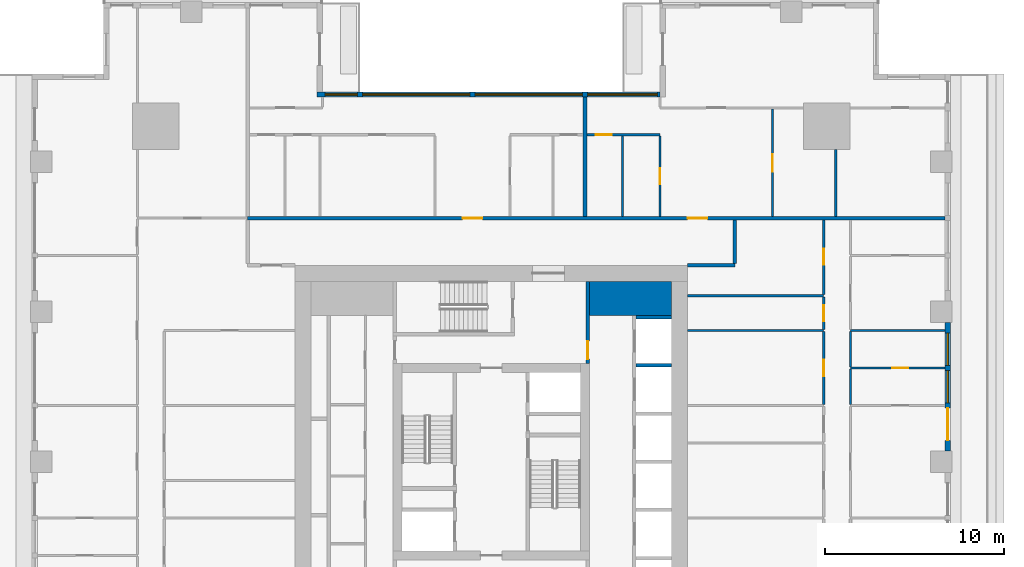
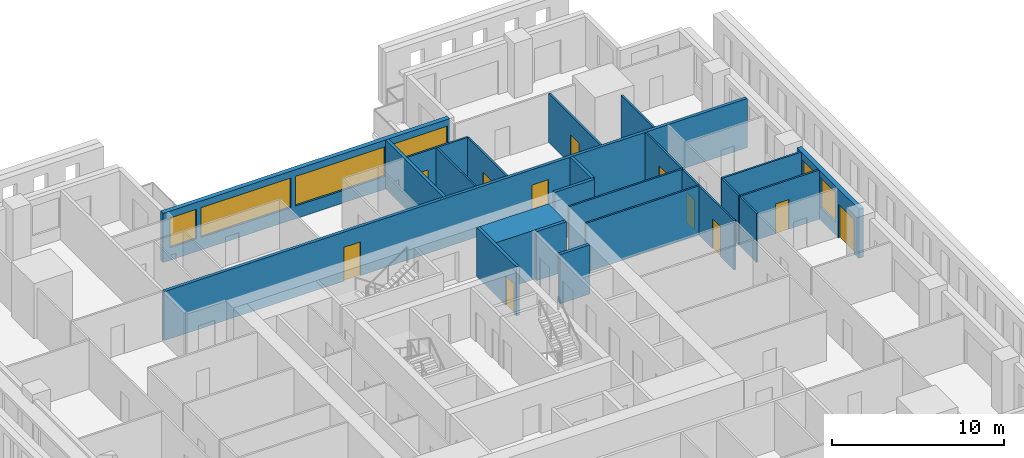
# One storey, part 8 of 16: 24 walls, 11 doors, 6 windows, 17 openings.
"""IFC4 building model written with IfcOpenShell, lengths in metres."""

import ifcopenshell
import ifcopenshell.guid

model = None  # the IFC model being written
_history = None  # IfcOwnerHistory: only IFC2X3 demands one
_inside = {}  # id of a spatial element -> (the spatial element, [elements in it])
_under = {}  # id of a project, library or spatial element -> (it, [spatial elements below it])
_declared = {}  # id of a project -> (the project, [libraries it declares])
_typed = {}  # id of a type object -> (the type object, [elements of that type])
_made_of = {}  # id of a material, layer set ... -> (it, [elements and type objects made of it])


def new_model(schema):
    """Start an empty IFC model of exactly this schema.

    Asked for "IFC4X3", IfcOpenShell would pick the latest addendum, in which some entities
    have other attributes; the version numbers below select the first issue.
    IFC2X3 requires an IfcOwnerHistory on every rooted entity: one is made here for all.
    """
    global model, _history
    if schema == "IFC4X3":
        model = ifcopenshell.file(schema_version=(4, 3, 0, 0))
    else:
        model = ifcopenshell.file(schema=schema)
    _inside.clear()
    _under.clear()
    _declared.clear()
    _typed.clear()
    _made_of.clear()
    _history = None
    if model.schema == "IFC2X3":
        org = make("IfcOrganization", Name="unknown")
        user = make(
            "IfcPersonAndOrganization",
            ThePerson=make("IfcPerson", FamilyName="unknown"),
            TheOrganization=org,
        )
        app = make(
            "IfcApplication",
            ApplicationDeveloper=org,
            Version="unknown",
            ApplicationFullName="unknown",
            ApplicationIdentifier="unknown",
        )
        _history = make(
            "IfcOwnerHistory",
            OwningUser=user,
            OwningApplication=app,
            ChangeAction="ADDED",
            CreationDate=0,
        )
    return model


def make(cls, **values):
    """One entity of the class cls with the attributes given. An attribute that is None is left unset."""
    return model.create_entity(
        cls, **{name: value for name, value in values.items() if value is not None}
    )


def rooted(cls, **values):
    """An entity with a GlobalId (a new one), such as an element, a storey or a relation."""
    return make(cls, GlobalId=ifcopenshell.guid.new(), OwnerHistory=_history, **values)


def si_unit(unit_type, name, prefix=None):
    """IfcSIUnit, for example si_unit("LENGTHUNIT", "METRE", prefix="MILLI")."""
    return make("IfcSIUnit", UnitType=unit_type, Prefix=prefix, Name=name)


def assignment(units):
    """IfcUnitAssignment: the units of a project."""
    return None if units is None else make("IfcUnitAssignment", Units=units)


def point(xyz):
    """IfcCartesianPoint."""
    return None if xyz is None else make("IfcCartesianPoint", Coordinates=xyz)


def direction(xyz):
    """IfcDirection."""
    return None if xyz is None else make("IfcDirection", DirectionRatios=xyz)


def frame(location, z_axis=None, x_axis=None):
    """IfcAxis2Placement3D, a coordinate frame: its origin and axes. An axis left out is left unset."""
    return make(
        "IfcAxis2Placement3D",
        Location=point(location),
        Axis=direction(z_axis),
        RefDirection=direction(x_axis),
    )


def frame_2d(location, x_axis=None):
    """IfcAxis2Placement2D, a coordinate frame in the plane: its origin and x axis."""
    return make(
        "IfcAxis2Placement2D", Location=point(location), RefDirection=direction(x_axis)
    )


def origin():
    """The frame at (0, 0, 0) with its axes left unset."""
    return frame((0.0, 0.0, 0.0))


def place(relative_to, where):
    """IfcLocalPlacement: puts the frame where relative to a parent placement (None: the world)."""
    return make(
        "IfcLocalPlacement", PlacementRelTo=relative_to, RelativePlacement=where
    )


def context(
    kind, dimensions, precision=None, world=None, true_north=None, identifier=None
):
    """IfcGeometricRepresentationContext, for example the 3D "Model" context."""
    return make(
        "IfcGeometricRepresentationContext",
        ContextIdentifier=identifier,
        ContextType=kind,
        CoordinateSpaceDimension=dimensions,
        Precision=precision,
        WorldCoordinateSystem=world,
        TrueNorth=true_north,
    )


def subcontext(parent, identifier, kind, view, scale=None):
    """IfcGeometricRepresentationSubContext, for example "Body" below "Model"."""
    return make(
        "IfcGeometricRepresentationSubContext",
        ContextIdentifier=identifier,
        ContextType=kind,
        ParentContext=parent,
        TargetScale=scale,
        TargetView=view,
    )


def project(units=None, contexts=None):
    """IfcProject with its units and contexts."""
    return rooted(
        "IfcProject",
        Name="project",
        RepresentationContexts=contexts,
        UnitsInContext=assignment(units),
    )


def spatial(cls, under=None, at=None, **own):
    """A site, building, storey or space (cls), placed at a placement, below another one or the project."""
    s = rooted(cls, ObjectPlacement=at, **own)
    if under is not None:
        _under.setdefault(under.id(), (under, []))[1].append(s)
    return s


def profile(cls, at=None, kind="AREA", **sizes):
    """A parametric profile (cls). Its sizes go by their IFC names, for example OverallWidth=200.0."""
    return make(cls, ProfileType=kind, Position=at, **sizes)


def rectangle(**sizes):
    """IfcRectangleProfileDef."""
    return profile("IfcRectangleProfileDef", **sizes)


def extrude(swept, where, along, depth):
    """IfcExtrudedAreaSolid: the profile swept, set in the frame where, extruded along a direction by depth."""
    return make(
        "IfcExtrudedAreaSolid",
        SweptArea=swept,
        Position=where,
        ExtrudedDirection=direction(along),
        Depth=depth,
    )


def shape(context_of_items, identifier, shape_type, items):
    """IfcShapeRepresentation: the items that make up one representation, for example the "Body"."""
    return make(
        "IfcShapeRepresentation",
        ContextOfItems=context_of_items,
        RepresentationIdentifier=identifier,
        RepresentationType=shape_type,
        Items=items,
    )


def material(Name=None, Category=None):
    """IfcMaterial."""
    return make("IfcMaterial", Name=Name, Category=Category)


def layer(
    of_material, thickness, ventilated=None, Name=None, Category=None, Priority=None
):
    """IfcMaterialLayer: one layer of a wall or slab, of a material (None: an air gap)."""
    return make(
        "IfcMaterialLayer",
        Material=of_material,
        LayerThickness=thickness,
        IsVentilated=ventilated,
        Name=Name,
        Category=Category,
        Priority=Priority,
    )


def layer_set(layers, Name=None):
    """IfcMaterialLayerSet."""
    return make("IfcMaterialLayerSet", MaterialLayers=layers, LayerSetName=Name)


def made_of(thing, what):
    """Note that an element or type object is made of a material, layer set ...; save() writes the relation."""
    if what is not None:
        _made_of.setdefault(what.id(), (what, []))[1].append(thing)
    return thing


def type_object(cls, material=None, **own):
    """A type object (cls), such as IfcWallType, which elements share."""
    return made_of(rooted(cls, **own), material)


def element(
    cls,
    number,
    at=None,
    inside=None,
    cuts=None,
    type_object=None,
    material=None,
    context=None,
    identifier="Body",
    shape_type=None,
    held_by="IfcProductDefinitionShape",
    body=None,
    shapes=None,
    **own,
):
    """One element of the class cls, such as IfcWall. Its Tag is "e" and its number.

    at: its placement. inside: the storey or other place that contains it. cuts: it is an
    opening in that element (IfcRelVoidsElement). A single representation is given by context,
    identifier, shape_type and body (its items); several are given by shapes. held_by: the class
    of the entity that holds the representations. save() writes the other relations.
    """
    e = rooted(cls, Tag="e%d" % number, ObjectPlacement=at, **own)
    if body is not None:
        shapes = [shape(context, identifier, shape_type, body)]
    if shapes is not None:
        e.Representation = make(held_by, Representations=shapes)
    if inside is not None:
        _inside.setdefault(inside.id(), (inside, []))[1].append(e)
    if cuts is not None:
        rooted(
            "IfcRelVoidsElement", RelatingBuildingElement=cuts, RelatedOpeningElement=e
        )
    if type_object is not None:
        _typed.setdefault(type_object.id(), (type_object, []))[1].append(e)
    return made_of(e, material)


def fill(opening, filler):
    """IfcRelFillsElement: the door or window that sits in an opening."""
    return rooted(
        "IfcRelFillsElement",
        RelatingOpeningElement=opening,
        RelatedBuildingElement=filler,
    )


def aggregate(whole, parts):
    """IfcRelAggregates: a whole, such as a stair, and the parts it consists of."""
    return rooted("IfcRelAggregates", RelatingObject=whole, RelatedObjects=parts)


def save(model, path):
    """Write the relations noted so far, then the file.

    IfcRelAggregates (storeys below a building ...), IfcRelContainedInSpatialStructure (elements
    in a storey), IfcRelDefinesByType, IfcRelAssociatesMaterial and IfcRelDeclares: one each for
    every whole, place, type object, material and project.
    """
    for whole, parts in _under.values():
        aggregate(whole, parts)
    for where, things in _inside.values():
        rooted(
            "IfcRelContainedInSpatialStructure",
            RelatedElements=things,
            RelatingStructure=where,
        )
    for kind, things in _typed.values():
        rooted("IfcRelDefinesByType", RelatedObjects=things, RelatingType=kind)
    for what, things in _made_of.values():
        rooted("IfcRelAssociatesMaterial", RelatedObjects=things, RelatingMaterial=what)
    for by, libraries in _declared.values():
        rooted("IfcRelDeclares", RelatingContext=by, RelatedDefinitions=libraries)
    model.write(path)


model = new_model("IFC4")

# Units and contexts
model_context = context("Model", 3, precision=1e-05, world=origin(), true_north=direction((0.0, 1.0)))
body_context = subcontext(model_context, "Body", "Model", "MODEL_VIEW")
ifc_project = project(units=[si_unit("LENGTHUNIT", "METRE"), si_unit("AREAUNIT", "SQUARE_METRE"), si_unit("VOLUMEUNIT", "CUBIC_METRE"), si_unit("PLANEANGLEUNIT", "RADIAN"), si_unit("MASSUNIT", "GRAM", prefix="KILO")], contexts=[model_context])

# Site, building, storey
site_placement = place(None, origin())
site = spatial("IfcSite", under=ifc_project, at=site_placement, CompositionType="ELEMENT")
building_placement = place(site_placement, origin())
building = spatial("IfcBuilding", under=site, at=building_placement, Name="Khepri Terraces", CompositionType="ELEMENT")
storey_placement = place(building_placement, frame((0.0, 0.0, 157.199951171875)))
storey = spatial("IfcBuildingStorey", under=building, at=storey_placement, Name="L37", CompositionType="ELEMENT", Elevation=157.199951171875)

# Walls
ifc_material_1 = material(Name="Concrete C60/75", Category="concrete")
ifc_layer_1 = layer(ifc_material_1, 1.89990234375, Name="Concrete C60/75", Category="concrete")
ifc_layer_set_1 = layer_set([ifc_layer_1], Name="Concrete C60/75")
wall_type_1 = type_object("IfcWallType", Name="Core wall 1900 C60/75", PredefinedType="SHEAR", material=ifc_layer_set_1)
wall_1_placement = place(storey_placement, frame((5.5, 9.14990234375, 0.0), z_axis=(0.0, 0.0, 1.0), x_axis=(1.0, 0.0, 0.0)))
element("IfcWall", 1, at=wall_1_placement, inside=storey, type_object=wall_type_1, Name="Core wall PR04 L37", PredefinedType="SHEAR", context=body_context, shape_type="SweptSolid", body=[
    extrude(rectangle(XDim=4.60009765625, YDim=1.89990234375, at=frame_2d((2.300048828125, 0.0))), origin(), (0.0, 0.0, 1.0), 3.47998046875),
])
ifc_layer_2 = layer(ifc_material_1, 0.199951171875, Name="Concrete C60/75", Category="concrete")
ifc_layer_set_2 = layer_set([ifc_layer_2], Name="Concrete C60/75")
wall_type_2 = type_object("IfcWallType", Name="Core wall 200 C60/75", PredefinedType="SHEAR", material=ifc_layer_set_2)
for number, where, z_axis, x_axis, name in (
    (2, (8.10009765625, 5.39990234375, 0.0), (0.0, 0.0, 1.0), (1.0, 0.0, 0.0), "Core wall SH14 L37"),
    (3, (8.10009765625, 8.10009765625, 0.0), (0.0, 0.0, 1.0), (1.0, 0.0, 0.0), "Core wall SH15 L37"),
):
    element("IfcWall", number, at=place(storey_placement, frame(where, z_axis=z_axis, x_axis=x_axis)), inside=storey, type_object=wall_type_2, Name=name, PredefinedType="SHEAR", context=body_context, shape_type="SweptSolid", body=[
        extrude(rectangle(XDim=2.0, YDim=0.199951171875, at=frame_2d((1.0, 0.0))), origin(), (0.0, 0.0, 1.0), 3.47998046875),
    ])

# Wall, opening, door
ifc_material_2 = material(Name="Fire-rated gypsum board partition")
ifc_layer_3 = layer(ifc_material_2, 0.199951171875, Name="Fire-rated gypsum board partition")
ifc_layer_set_3 = layer_set([ifc_layer_3], Name="Fire-rated gypsum board partition")
wall_type_3 = type_object("IfcWallType", Name="WL-CORE-PART-200", PredefinedType="PARTITIONING", material=ifc_layer_set_3)
wall_2_placement = place(storey_placement, frame((5.39990234375, 5.5, 0.0), z_axis=(0.0, 0.0, 1.0), x_axis=(0.0, 1.0, 0.0)))
wall_2 = element("IfcWall", 4, at=wall_2_placement, inside=storey, type_object=wall_type_3, Name="Core partition PT12 L37", PredefinedType="PARTITIONING", context=body_context, shape_type="SweptSolid", body=[
    extrude(rectangle(XDim=4.60009765625, YDim=0.199951171875, at=frame_2d((2.300048828125, 0.0))), origin(), (0.0, 0.0, 1.0), 3.47998046875),
])
opening_1_placement = place(wall_2_placement, frame((0.25, 0.0, 0.0)))
opening_1 = element("IfcOpeningElement", 5, at=opening_1_placement, cuts=wall_2, Name="Opening L37-C17", PredefinedType="OPENING", context=body_context, shape_type="SweptSolid", body=[
    extrude(rectangle(XDim=1.0, YDim=2.10009765625, at=frame_2d((0.5, 1.050048828125))), frame((0.0, 0.10986328125, 0.0), z_axis=(0.0, -1.0, 0.0), x_axis=(1.0, 0.0, 0.0)), (0.0, 0.0, 1.0), 0.219970703125),
])
ifc_material_3 = material(Name="Painted steel", Category="steel")
door_type_1 = type_object("IfcDoorType", Name="DR-CORE-LOBBY-1000", OperationType="NOTDEFINED", PredefinedType="DOOR", material=ifc_material_3)
door_1_placement = place(opening_1_placement, origin())
door_1 = element("IfcDoor", 6, at=door_1_placement, inside=storey, type_object=door_type_1, Name="Lobby door L37-C17", OperationType="SINGLE_SWING_LEFT", OverallHeight=2.10009765625, OverallWidth=1.0, PredefinedType="DOOR", context=body_context, shape_type="SweptSolid", body=[
    extrude(rectangle(XDim=1.0, YDim=2.10009765625, at=frame_2d((0.5, 1.050048828125))), frame((0.0, 0.02490234375, 0.0), z_axis=(0.0, -1.0, 0.0), x_axis=(1.0, 0.0, 0.0)), (0.0, 0.0, 1.0), 0.050048828125),
])
fill(opening_1, door_1)

# Walls
ifc_material_4 = material(Name="Fire-rated gypsum plasterboard partition, mineral wool")
ifc_layer_4 = layer(ifc_material_4, 0.199951171875, Name="Fire-rated gypsum plasterboard partition, mineral wool")
ifc_layer_set_4 = layer_set([ifc_layer_4], Name="Fire-rated gypsum plasterboard partition, mineral wool")
wall_type_4 = type_object("IfcWallType", Name="WL-CORR-200", PredefinedType="PARTITIONING", material=ifc_layer_set_4)
wall_3_placement = place(storey_placement, frame((11.0, 11.0, 0.0), z_axis=(0.0, 0.0, 1.0), x_axis=(1.0, 0.0, 0.0)))
element("IfcWall", 7, at=wall_3_placement, inside=storey, type_object=wall_type_4, Name="Partition P-076 L37", PredefinedType="PARTITIONING", context=body_context, shape_type="SweptSolid", body=[
    extrude(rectangle(XDim=2.64990234375, YDim=0.199951171875, at=frame_2d((1.324951171875, 0.0))), origin(), (0.0, 0.0, 1.0), 3.47998046875),
])
wall_4_placement = place(storey_placement, frame((13.64990234375, 11.10009765625, 0.0), z_axis=(0.0, 0.0, 1.0), x_axis=(0.0, 1.0, 0.0)))
element("IfcWall", 8, at=wall_4_placement, inside=storey, type_object=wall_type_4, Name="Partition P-078 L37", PredefinedType="PARTITIONING", context=body_context, shape_type="SweptSolid", body=[
    extrude(rectangle(XDim=2.449951171875, YDim=0.199951171875, at=frame_2d((1.22509765625, 0.0))), origin(), (0.0, 0.0, 1.0), 3.47998046875),
])

# Wall, openings, doors
wall_5_placement = place(storey_placement, frame((-13.64990234375, 13.64990234375, 0.0), z_axis=(0.0, 0.0, 1.0), x_axis=(1.0, 0.0, 0.0)))
wall_5 = element("IfcWall", 9, at=wall_5_placement, inside=storey, type_object=wall_type_4, Name="Partition P-084 L37", PredefinedType="PARTITIONING", context=body_context, shape_type="SweptSolid", body=[
    extrude(rectangle(XDim=39.06982421875, YDim=0.199951171875, at=frame_2d((19.534912109375, 0.0))), origin(), (0.0, 0.0, 1.0), 3.47998046875),
])
opening_2_placement = place(wall_5_placement, frame((24.64990234375, 0.0, 0.0)))
opening_2 = element("IfcOpeningElement", 10, at=opening_2_placement, cuts=wall_5, Name="Opening D1", PredefinedType="OPENING", context=body_context, shape_type="SweptSolid", body=[
    extrude(rectangle(XDim=1.10009765625, YDim=2.39990234375, at=frame_2d((0.550048828125, 1.199951171875))), frame((0.0, 0.10986328125, 0.0), z_axis=(0.0, -1.0, 0.0), x_axis=(1.0, 0.0, 0.0)), (0.0, 0.0, 1.0), 0.219970703125),
])
opening_3_placement = place(wall_5_placement, frame((12.050048828125, 0.0, 0.0)))
opening_3 = element("IfcOpeningElement", 11, at=opening_3_placement, cuts=wall_5, Name="Opening D1", PredefinedType="OPENING", context=body_context, shape_type="SweptSolid", body=[
    extrude(rectangle(XDim=1.10009765625, YDim=2.39990234375, at=frame_2d((0.550048828125, 1.199951171875))), frame((0.0, 0.10986328125, 0.0), z_axis=(0.0, -1.0, 0.0), x_axis=(1.0, 0.0, 0.0)), (0.0, 0.0, 1.0), 0.219970703125),
])
ifc_material_5 = material(Name="Solid-core timber door leaf, flat entrance door", Category="wood")
door_type_2 = type_object("IfcDoorType", Name="DR-ENT-1100", OperationType="NOTDEFINED", PredefinedType="DOOR", material=ifc_material_5)
door_2_placement = place(opening_2_placement, origin())
door_2 = element("IfcDoor", 12, at=door_2_placement, inside=storey, type_object=door_type_2, Name="Flat C1 entrance door", OperationType="SINGLE_SWING_RIGHT", OverallHeight=2.39990234375, OverallWidth=1.10009765625, PredefinedType="DOOR", context=body_context, shape_type="SweptSolid", body=[
    extrude(rectangle(XDim=1.10009765625, YDim=2.39990234375, at=frame_2d((0.550048828125, 1.199951171875))), frame((0.0, 0.02490234375, 0.0), z_axis=(0.0, -1.0, 0.0), x_axis=(1.0, 0.0, 0.0)), (0.0, 0.0, 1.0), 0.050048828125),
])
fill(opening_2, door_2)
door_3_placement = place(opening_3_placement, origin())
door_3 = element("IfcDoor", 13, at=door_3_placement, inside=storey, type_object=door_type_2, Name="Flat C2 entrance door", OperationType="SINGLE_SWING_LEFT", OverallHeight=2.39990234375, OverallWidth=1.10009765625, PredefinedType="DOOR", context=body_context, shape_type="SweptSolid", body=[
    extrude(rectangle(XDim=1.10009765625, YDim=2.39990234375, at=frame_2d((0.550048828125, 1.199951171875))), frame((0.0, 0.02490234375, 0.0), z_axis=(0.0, -1.0, 0.0), x_axis=(1.0, 0.0, 0.0)), (0.0, 0.0, 1.0), 0.050048828125),
])
fill(opening_3, door_3)

# Wall
wall_6_placement = place(storey_placement, frame((5.25, 13.75, 0.0), z_axis=(0.0, 0.0, 1.0), x_axis=(0.0, 1.0, 0.0)))
element("IfcWall", 14, at=wall_6_placement, inside=storey, type_object=wall_type_4, Name="Partition P-092 L37", PredefinedType="PARTITIONING", context=body_context, shape_type="SweptSolid", body=[
    extrude(rectangle(XDim=6.669921875, YDim=0.199951171875, at=frame_2d((3.3349609375, 0.0))), origin(), (0.0, 0.0, 1.0), 3.47998046875),
])

# Wall, openings, door, windows
ifc_material_6 = material(Name="Precast concrete C50/60 warm stone", Category="masonry")
ifc_layer_5 = layer(ifc_material_6, 0.300048828125, Name="Precast concrete C50/60 warm stone", Category="masonry")
ifc_layer_set_5 = layer_set([ifc_layer_5], Name="Precast concrete C50/60 warm stone")
wall_type_5 = type_object("IfcWallType", Name="WL-EXT-PRECAST-300", PredefinedType="STANDARD", material=ifc_layer_set_5)
wall_7_placement = place(storey_placement, frame((25.570068359375, 0.60009765625, 0.0), z_axis=(0.0, 0.0, 1.0), x_axis=(0.0, 1.0, 0.0)))
wall_7 = element("IfcWall", 15, at=wall_7_placement, inside=storey, type_object=wall_type_5, Name="External wall L37 E", PredefinedType="STANDARD", context=body_context, shape_type="SweptSolid", body=[
    extrude(rectangle(XDim=7.199951171875, YDim=0.300048828125, at=frame_2d((3.60009765625, 0.0))), origin(), (0.0, 0.0, 1.0), 3.47998046875),
])
opening_4_placement = place(wall_7_placement, frame((0.60009765625, 0.0, 0.0)))
opening_4 = element("IfcOpeningElement", 16, at=opening_4_placement, cuts=wall_7, Name="Opening ED-L37-06", PredefinedType="OPENING", context=body_context, shape_type="SweptSolid", body=[
    extrude(rectangle(XDim=1.800048828125, YDim=2.39990234375, at=frame_2d((0.89990234375, 1.199951171875))), frame((0.0, 0.16015625, 0.0), z_axis=(0.0, -1.0, 0.0), x_axis=(1.0, 0.0, 0.0)), (0.0, 0.0, 1.0), 0.320068359375),
])
opening_5_placement = place(wall_7_placement, frame((2.699951171875, 0.0, 0.89990234375)))
opening_5 = element("IfcOpeningElement", 17, at=opening_5_placement, cuts=wall_7, Name="Opening W1", PredefinedType="OPENING", context=body_context, shape_type="SweptSolid", body=[
    extrude(rectangle(XDim=1.800048828125, YDim=2.10009765625, at=frame_2d((0.89990234375, 1.050048828125))), frame((0.0, 0.16015625, 0.0), z_axis=(0.0, -1.0, 0.0), x_axis=(1.0, 0.0, 0.0)), (0.0, 0.0, 1.0), 0.320068359375),
])
opening_6_placement = place(wall_7_placement, frame((4.800048828125, 0.0, 0.89990234375)))
opening_6 = element("IfcOpeningElement", 18, at=opening_6_placement, cuts=wall_7, Name="Opening W1", PredefinedType="OPENING", context=body_context, shape_type="SweptSolid", body=[
    extrude(rectangle(XDim=1.800048828125, YDim=2.10009765625, at=frame_2d((0.89990234375, 1.050048828125))), frame((0.0, 0.16015625, 0.0), z_axis=(0.0, -1.0, 0.0), x_axis=(1.0, 0.0, 0.0)), (0.0, 0.0, 1.0), 0.320068359375),
])
ifc_material_7 = material(Name="Anodised aluminium bronze glazed door", Category="aluminium")
door_type_3 = type_object("IfcDoorType", Name="DR-BAL-SLIDE-1800x2400", OperationType="NOTDEFINED", PredefinedType="DOOR", material=ifc_material_7)
door_4_placement = place(opening_4_placement, origin())
door_4 = element("IfcDoor", 19, at=door_4_placement, inside=storey, type_object=door_type_3, Name="Balcony door L37 E", OperationType="SLIDING_TO_LEFT", OverallHeight=2.39990234375, OverallWidth=1.800048828125, PredefinedType="DOOR", context=body_context, shape_type="SweptSolid", body=[
    extrude(rectangle(XDim=1.800048828125, YDim=2.39990234375, at=frame_2d((0.89990234375, 1.199951171875))), frame((0.0, 0.02490234375, 0.0), z_axis=(0.0, -1.0, 0.0), x_axis=(1.0, 0.0, 0.0)), (0.0, 0.0, 1.0), 0.050048828125),
])
fill(opening_4, door_4)
ifc_material_8 = material(Name="Clear glass", Category="glass")
window_type_1 = type_object("IfcWindowType", Name="WIN-RES-1800x2100", PartitioningType="SINGLE_PANEL", PredefinedType="WINDOW", material=ifc_material_8)
window_1_placement = place(opening_5_placement, origin())
window_1 = element("IfcWindow", 20, at=window_1_placement, inside=storey, type_object=window_type_1, Name="Window L37 E", OverallHeight=2.10009765625, OverallWidth=1.800048828125, PartitioningType="SINGLE_PANEL", PredefinedType="WINDOW", context=body_context, shape_type="SweptSolid", body=[
    extrude(rectangle(XDim=1.800048828125, YDim=2.10009765625, at=frame_2d((0.89990234375, 1.050048828125))), frame((0.0, 0.030029296875, 0.0), z_axis=(0.0, -1.0, 0.0), x_axis=(1.0, 0.0, 0.0)), (0.0, 0.0, 1.0), 0.06005859375),
])
fill(opening_5, window_1)
window_2_placement = place(opening_6_placement, origin())
window_2 = element("IfcWindow", 21, at=window_2_placement, inside=storey, type_object=window_type_1, Name="Window L37 E", OverallHeight=2.10009765625, OverallWidth=1.800048828125, PartitioningType="SINGLE_PANEL", PredefinedType="WINDOW", context=body_context, shape_type="SweptSolid", body=[
    extrude(rectangle(XDim=1.800048828125, YDim=2.10009765625, at=frame_2d((0.89990234375, 1.050048828125))), frame((0.0, 0.030029296875, 0.0), z_axis=(0.0, -1.0, 0.0), x_axis=(1.0, 0.0, 0.0)), (0.0, 0.0, 1.0), 0.06005859375),
])
fill(opening_6, window_2)

# Wall, openings, windows
wall_8_placement = place(storey_placement, frame((9.449951171875, 20.570068359375, 0.0), z_axis=(0.0, 0.0, 1.0), x_axis=(-1.0, 0.0, 0.0)))
wall_8 = element("IfcWall", 22, at=wall_8_placement, inside=storey, type_object=wall_type_5, Name="External wall L37 N", PredefinedType="STANDARD", context=body_context, shape_type="SweptSolid", body=[
    extrude(rectangle(XDim=19.199951171875, YDim=0.300048828125, at=frame_2d((9.60009765625, 0.0))), origin(), (0.0, 0.0, 1.0), 3.47998046875),
])
opening_7_placement = place(wall_8_placement, frame((0.14990234375, 0.0, 0.89990234375)))
opening_7 = element("IfcOpeningElement", 23, at=opening_7_placement, cuts=wall_8, Name="Opening W2", PredefinedType="OPENING", context=body_context, shape_type="SweptSolid", body=[
    extrude(rectangle(XDim=3.89990234375, YDim=2.10009765625, at=frame_2d((1.949951171875, 1.050048828125))), frame((0.0, 0.16015625, 0.0), z_axis=(0.0, -1.0, 0.0), x_axis=(1.0, 0.0, 0.0)), (0.0, 0.0, 1.0), 0.320068359375),
])
opening_8_placement = place(wall_8_placement, frame((4.35009765625, 0.0, 0.89990234375)))
opening_8 = element("IfcOpeningElement", 24, at=opening_8_placement, cuts=wall_8, Name="Opening W3", PredefinedType="OPENING", context=body_context, shape_type="SweptSolid", body=[
    extrude(rectangle(XDim=6.0, YDim=2.10009765625, at=frame_2d((3.0, 1.050048828125))), frame((0.0, 0.16015625, 0.0), z_axis=(0.0, -1.0, 0.0), x_axis=(1.0, 0.0, 0.0)), (0.0, 0.0, 1.0), 0.320068359375),
])
opening_9_placement = place(wall_8_placement, frame((10.64990234375, 0.0, 0.89990234375)))
opening_9 = element("IfcOpeningElement", 25, at=opening_9_placement, cuts=wall_8, Name="Opening W3", PredefinedType="OPENING", context=body_context, shape_type="SweptSolid", body=[
    extrude(rectangle(XDim=6.0, YDim=2.10009765625, at=frame_2d((3.0, 1.050048828125))), frame((0.0, 0.16015625, 0.0), z_axis=(0.0, -1.0, 0.0), x_axis=(1.0, 0.0, 0.0)), (0.0, 0.0, 1.0), 0.320068359375),
])
opening_10_placement = place(wall_8_placement, frame((16.949951171875, 0.0, 0.89990234375)))
opening_10 = element("IfcOpeningElement", 26, at=opening_10_placement, cuts=wall_8, Name="Opening W1", PredefinedType="OPENING", context=body_context, shape_type="SweptSolid", body=[
    extrude(rectangle(XDim=1.800048828125, YDim=2.10009765625, at=frame_2d((0.89990234375, 1.050048828125))), frame((0.0, 0.16015625, 0.0), z_axis=(0.0, -1.0, 0.0), x_axis=(1.0, 0.0, 0.0)), (0.0, 0.0, 1.0), 0.320068359375),
])
window_3_placement = place(opening_10_placement, origin())
window_3 = element("IfcWindow", 27, at=window_3_placement, inside=storey, type_object=window_type_1, Name="Window L37 N", OverallHeight=2.10009765625, OverallWidth=1.800048828125, PartitioningType="SINGLE_PANEL", PredefinedType="WINDOW", context=body_context, shape_type="SweptSolid", body=[
    extrude(rectangle(XDim=1.800048828125, YDim=2.10009765625, at=frame_2d((0.89990234375, 1.050048828125))), frame((0.0, 0.030029296875, 0.0), z_axis=(0.0, -1.0, 0.0), x_axis=(1.0, 0.0, 0.0)), (0.0, 0.0, 1.0), 0.06005859375),
])
fill(opening_10, window_3)
window_type_2 = type_object("IfcWindowType", Name="WIN-RES-3900x2100", PartitioningType="SINGLE_PANEL", PredefinedType="WINDOW", material=ifc_material_8)
window_4_placement = place(opening_7_placement, origin())
window_4 = element("IfcWindow", 28, at=window_4_placement, inside=storey, type_object=window_type_2, Name="Window L37 N", OverallHeight=2.10009765625, OverallWidth=3.89990234375, PartitioningType="SINGLE_PANEL", PredefinedType="WINDOW", context=body_context, shape_type="SweptSolid", body=[
    extrude(rectangle(XDim=3.89990234375, YDim=2.10009765625, at=frame_2d((1.949951171875, 1.050048828125))), frame((0.0, 0.030029296875, 0.0), z_axis=(0.0, -1.0, 0.0), x_axis=(1.0, 0.0, 0.0)), (0.0, 0.0, 1.0), 0.06005859375),
])
fill(opening_7, window_4)
window_type_3 = type_object("IfcWindowType", Name="WIN-RES-6000x2100", PartitioningType="SINGLE_PANEL", PredefinedType="WINDOW", material=ifc_material_8)
window_5_placement = place(opening_8_placement, origin())
window_5 = element("IfcWindow", 29, at=window_5_placement, inside=storey, type_object=window_type_3, Name="Window L37 N", OverallHeight=2.10009765625, OverallWidth=6.0, PartitioningType="SINGLE_PANEL", PredefinedType="WINDOW", context=body_context, shape_type="SweptSolid", body=[
    extrude(rectangle(XDim=6.0, YDim=2.10009765625, at=frame_2d((3.0, 1.050048828125))), frame((0.0, 0.030029296875, 0.0), z_axis=(0.0, -1.0, 0.0), x_axis=(1.0, 0.0, 0.0)), (0.0, 0.0, 1.0), 0.06005859375),
])
fill(opening_8, window_5)
window_6_placement = place(opening_9_placement, origin())
window_6 = element("IfcWindow", 30, at=window_6_placement, inside=storey, type_object=window_type_3, Name="Window L37 N", OverallHeight=2.10009765625, OverallWidth=6.0, PartitioningType="SINGLE_PANEL", PredefinedType="WINDOW", context=body_context, shape_type="SweptSolid", body=[
    extrude(rectangle(XDim=6.0, YDim=2.10009765625, at=frame_2d((3.0, 1.050048828125))), frame((0.0, 0.030029296875, 0.0), z_axis=(0.0, -1.0, 0.0), x_axis=(1.0, 0.0, 0.0)), (0.0, 0.0, 1.0), 0.06005859375),
])
fill(opening_9, window_6)

# Wall, opening, door
ifc_material_9 = material(Name="Gypsum plasterboard partition")
ifc_layer_6 = layer(ifc_material_9, 0.1201171875, Name="Gypsum plasterboard partition")
ifc_layer_set_6 = layer_set([ifc_layer_6], Name="Gypsum plasterboard partition")
wall_type_6 = type_object("IfcWallType", Name="WL-PART-120", PredefinedType="PARTITIONING", material=ifc_layer_set_6)
wall_9_placement = place(storey_placement, frame((18.6201171875, 3.2099609375, 0.0), z_axis=(0.0, 0.0, 1.0), x_axis=(0.0, 1.0, 0.0)))
wall_9 = element("IfcWall", 31, at=wall_9_placement, inside=storey, type_object=wall_type_6, Name="Partition P-064 L37", PredefinedType="PARTITIONING", context=body_context, shape_type="SweptSolid", body=[
    extrude(rectangle(XDim=4.080078125, YDim=0.1201171875, at=frame_2d((2.0400390625, 0.0))), origin(), (0.0, 0.0, 1.0), 3.47998046875),
])
opening_11_placement = place(wall_9_placement, frame((1.590087890625, 0.0, 0.0)))
opening_11 = element("IfcOpeningElement", 32, at=opening_11_placement, cuts=wall_9, Name="Opening D3", PredefinedType="OPENING", context=body_context, shape_type="SweptSolid", body=[
    extrude(rectangle(XDim=0.89990234375, YDim=2.10009765625, at=frame_2d((0.449951171875, 1.050048828125))), frame((0.0, 0.070068359375, 0.0), z_axis=(0.0, -1.0, 0.0), x_axis=(1.0, 0.0, 0.0)), (0.0, 0.0, 1.0), 0.14013671875),
])
ifc_material_10 = material(Name="Timber door leaf", Category="wood")
door_type_4 = type_object("IfcDoorType", Name="DR-INT-900", OperationType="NOTDEFINED", PredefinedType="DOOR", material=ifc_material_10)
door_5_placement = place(opening_11_placement, origin())
door_5 = element("IfcDoor", 33, at=door_5_placement, inside=storey, type_object=door_type_4, Name="Door Staff Bedroom", OperationType="SINGLE_SWING_RIGHT", OverallHeight=2.10009765625, OverallWidth=0.89990234375, PredefinedType="DOOR", context=body_context, shape_type="SweptSolid", body=[
    extrude(rectangle(XDim=0.89990234375, YDim=2.10009765625, at=frame_2d((0.449951171875, 1.050048828125))), frame((0.0, 0.02490234375, 0.0), z_axis=(0.0, -1.0, 0.0), x_axis=(1.0, 0.0, 0.0)), (0.0, 0.0, 1.0), 0.050048828125),
])
fill(opening_11, door_5)

# Wall
wall_10_placement = place(storey_placement, frame((20.1201171875, 3.2099609375, 0.0), z_axis=(0.0, 0.0, 1.0), x_axis=(0.0, 1.0, 0.0)))
element("IfcWall", 34, at=wall_10_placement, inside=storey, type_object=wall_type_6, Name="Partition P-065 L37", PredefinedType="PARTITIONING", context=body_context, shape_type="SweptSolid", body=[
    extrude(rectangle(XDim=1.97998046875, YDim=0.1201171875, at=frame_2d((0.989990234375, 0.0))), origin(), (0.0, 0.0, 1.0), 3.47998046875),
])

# Wall, opening, door
wall_11_placement = place(storey_placement, frame((20.1201171875, 5.25, 0.0), z_axis=(0.0, 0.0, 1.0), x_axis=(1.0, 0.0, 0.0)))
wall_11 = element("IfcWall", 35, at=wall_11_placement, inside=storey, type_object=wall_type_6, Name="Partition P-066 L37", PredefinedType="PARTITIONING", context=body_context, shape_type="SweptSolid", body=[
    extrude(rectangle(XDim=5.2998046875, YDim=0.1201171875, at=frame_2d((2.64990234375, 0.0))), origin(), (0.0, 0.0, 1.0), 3.47998046875),
])
opening_12_placement = place(wall_11_placement, frame((2.35009765625, 0.0, 0.0)))
opening_12 = element("IfcOpeningElement", 36, at=opening_12_placement, cuts=wall_11, Name="Opening D4", PredefinedType="OPENING", context=body_context, shape_type="SweptSolid", body=[
    extrude(rectangle(XDim=0.89990234375, YDim=2.10009765625, at=frame_2d((0.449951171875, 1.050048828125))), frame((0.0, 0.070068359375, 0.0), z_axis=(0.0, -1.0, 0.0), x_axis=(1.0, 0.0, 0.0)), (0.0, 0.0, 1.0), 0.14013671875),
])
ifc_material_11 = material(Name="Timber door leaf, moisture resistant", Category="wood")
door_type_5 = type_object("IfcDoorType", Name="DR-WET-900", OperationType="NOTDEFINED", PredefinedType="DOOR", material=ifc_material_11)
door_6_placement = place(opening_12_placement, origin())
door_6 = element("IfcDoor", 37, at=door_6_placement, inside=storey, type_object=door_type_5, Name="Door Bathroom", OperationType="SINGLE_SWING_RIGHT", OverallHeight=2.10009765625, OverallWidth=0.89990234375, PredefinedType="DOOR", context=body_context, shape_type="SweptSolid", body=[
    extrude(rectangle(XDim=0.89990234375, YDim=2.10009765625, at=frame_2d((0.449951171875, 1.050048828125))), frame((0.0, 0.02490234375, 0.0), z_axis=(0.0, -1.0, 0.0), x_axis=(1.0, 0.0, 0.0)), (0.0, 0.0, 1.0), 0.050048828125),
])
fill(opening_12, door_6)

# Walls
wall_12_placement = place(storey_placement, frame((20.1201171875, 5.31005859375, 0.0), z_axis=(0.0, 0.0, 1.0), x_axis=(0.0, 1.0, 0.0)))
element("IfcWall", 38, at=wall_12_placement, inside=storey, type_object=wall_type_6, Name="Partition P-067 L37", PredefinedType="PARTITIONING", context=body_context, shape_type="SweptSolid", body=[
    extrude(rectangle(XDim=1.97998046875, YDim=0.1201171875, at=frame_2d((0.989990234375, 0.0))), origin(), (0.0, 0.0, 1.0), 3.47998046875),
])
wall_13_placement = place(storey_placement, frame((11.0, 7.35009765625, 0.0), z_axis=(0.0, 0.0, 1.0), x_axis=(1.0, 0.0, 0.0)))
element("IfcWall", 39, at=wall_13_placement, inside=storey, type_object=wall_type_6, Name="Partition P-069 L37", PredefinedType="PARTITIONING", context=body_context, shape_type="SweptSolid", body=[
    extrude(rectangle(XDim=7.6201171875, YDim=0.1201171875, at=frame_2d((3.81005859375, 0.0))), origin(), (0.0, 0.0, 1.0), 3.47998046875),
])
wall_14_placement = place(storey_placement, frame((20.1201171875, 7.35009765625, 0.0), z_axis=(0.0, 0.0, 1.0), x_axis=(1.0, 0.0, 0.0)))
element("IfcWall", 40, at=wall_14_placement, inside=storey, type_object=wall_type_6, Name="Partition P-070 L37", PredefinedType="PARTITIONING", context=body_context, shape_type="SweptSolid", body=[
    extrude(rectangle(XDim=5.2998046875, YDim=0.1201171875, at=frame_2d((2.64990234375, 0.0))), origin(), (0.0, 0.0, 1.0), 3.47998046875),
])

# Wall, opening, door
wall_15_placement = place(storey_placement, frame((18.6201171875, 7.409912109375, 0.0), z_axis=(0.0, 0.0, 1.0), x_axis=(0.0, 1.0, 0.0)))
wall_15 = element("IfcWall", 41, at=wall_15_placement, inside=storey, type_object=wall_type_6, Name="Partition P-071 L37", PredefinedType="PARTITIONING", context=body_context, shape_type="SweptSolid", body=[
    extrude(rectangle(XDim=1.830078125, YDim=0.1201171875, at=frame_2d((0.9150390625, 0.0))), origin(), (0.0, 0.0, 1.0), 3.47998046875),
])
opening_13_placement = place(wall_15_placement, frame((0.465087890625, 0.0, 0.0)))
opening_13 = element("IfcOpeningElement", 42, at=opening_13_placement, cuts=wall_15, Name="Opening D4", PredefinedType="OPENING", context=body_context, shape_type="SweptSolid", body=[
    extrude(rectangle(XDim=0.89990234375, YDim=2.10009765625, at=frame_2d((0.449951171875, 1.050048828125))), frame((0.0, 0.070068359375, 0.0), z_axis=(0.0, -1.0, 0.0), x_axis=(1.0, 0.0, 0.0)), (0.0, 0.0, 1.0), 0.14013671875),
])
door_7_placement = place(opening_13_placement, origin())
door_7 = element("IfcDoor", 43, at=door_7_placement, inside=storey, type_object=door_type_5, Name="Door Guest Bathroom", OperationType="SINGLE_SWING_LEFT", OverallHeight=2.10009765625, OverallWidth=0.89990234375, PredefinedType="DOOR", context=body_context, shape_type="SweptSolid", body=[
    extrude(rectangle(XDim=0.89990234375, YDim=2.10009765625, at=frame_2d((0.449951171875, 1.050048828125))), frame((0.0, 0.02490234375, 0.0), z_axis=(0.0, -1.0, 0.0), x_axis=(1.0, 0.0, 0.0)), (0.0, 0.0, 1.0), 0.050048828125),
])
fill(opening_13, door_7)

# Wall
wall_16_placement = place(storey_placement, frame((11.0, 9.300048828125, 0.0), z_axis=(0.0, 0.0, 1.0), x_axis=(1.0, 0.0, 0.0)))
element("IfcWall", 44, at=wall_16_placement, inside=storey, type_object=wall_type_6, Name="Partition P-073 L37", PredefinedType="PARTITIONING", context=body_context, shape_type="SweptSolid", body=[
    extrude(rectangle(XDim=7.6201171875, YDim=0.1201171875, at=frame_2d((3.81005859375, 0.0))), origin(), (0.0, 0.0, 1.0), 3.47998046875),
])

# Wall, opening, door
wall_17_placement = place(storey_placement, frame((18.6201171875, 9.360107421875, 0.0), z_axis=(0.0, 0.0, 1.0), x_axis=(0.0, 1.0, 0.0)))
wall_17 = element("IfcWall", 45, at=wall_17_placement, inside=storey, type_object=wall_type_6, Name="Partition P-074 L37", PredefinedType="PARTITIONING", context=body_context, shape_type="SweptSolid", body=[
    extrude(rectangle(XDim=4.18994140625, YDim=0.1201171875, at=frame_2d((2.094970703125, 0.0))), origin(), (0.0, 0.0, 1.0), 3.47998046875),
])
opening_14_placement = place(wall_17_placement, frame((1.6650390625, 0.0, 0.0)))
opening_14 = element("IfcOpeningElement", 46, at=opening_14_placement, cuts=wall_17, Name="Opening D3", PredefinedType="OPENING", context=body_context, shape_type="SweptSolid", body=[
    extrude(rectangle(XDim=0.89990234375, YDim=2.10009765625, at=frame_2d((0.449951171875, 1.050048828125))), frame((0.0, 0.070068359375, 0.0), z_axis=(0.0, -1.0, 0.0), x_axis=(1.0, 0.0, 0.0)), (0.0, 0.0, 1.0), 0.14013671875),
])
door_8_placement = place(opening_14_placement, origin())
door_8 = element("IfcDoor", 47, at=door_8_placement, inside=storey, type_object=door_type_4, Name="Door Utility Room", OperationType="SINGLE_SWING_RIGHT", OverallHeight=2.10009765625, OverallWidth=0.89990234375, PredefinedType="DOOR", context=body_context, shape_type="SweptSolid", body=[
    extrude(rectangle(XDim=0.89990234375, YDim=2.10009765625, at=frame_2d((0.449951171875, 1.050048828125))), frame((0.0, 0.02490234375, 0.0), z_axis=(0.0, -1.0, 0.0), x_axis=(1.0, 0.0, 0.0)), (0.0, 0.0, 1.0), 0.050048828125),
])
fill(opening_14, door_8)

# Wall
wall_18_placement = place(storey_placement, frame((7.35009765625, 13.75, 0.0), z_axis=(0.0, 0.0, 1.0), x_axis=(0.0, 1.0, 0.0)))
element("IfcWall", 48, at=wall_18_placement, inside=storey, type_object=wall_type_6, Name="Partition P-093 L37", PredefinedType="PARTITIONING", context=body_context, shape_type="SweptSolid", body=[
    extrude(rectangle(XDim=4.510009765625, YDim=0.1201171875, at=frame_2d((2.2548828125, 0.0))), origin(), (0.0, 0.0, 1.0), 3.47998046875),
])

# Wall, opening, door
wall_19_placement = place(storey_placement, frame((9.449951171875, 13.75, 0.0), z_axis=(0.0, 0.0, 1.0), x_axis=(0.0, 1.0, 0.0)))
wall_19 = element("IfcWall", 49, at=wall_19_placement, inside=storey, type_object=wall_type_6, Name="Partition P-094 L37", PredefinedType="PARTITIONING", context=body_context, shape_type="SweptSolid", body=[
    extrude(rectangle(XDim=4.510009765625, YDim=0.1201171875, at=frame_2d((2.2548828125, 0.0))), origin(), (0.0, 0.0, 1.0), 3.47998046875),
])
opening_15_placement = place(wall_19_placement, frame((1.784912109375, 0.0, 0.0)))
opening_15 = element("IfcOpeningElement", 50, at=opening_15_placement, cuts=wall_19, Name="Opening D4", PredefinedType="OPENING", context=body_context, shape_type="SweptSolid", body=[
    extrude(rectangle(XDim=0.89990234375, YDim=2.10009765625, at=frame_2d((0.449951171875, 1.050048828125))), frame((0.0, 0.070068359375, 0.0), z_axis=(0.0, -1.0, 0.0), x_axis=(1.0, 0.0, 0.0)), (0.0, 0.0, 1.0), 0.14013671875),
])
door_9_placement = place(opening_15_placement, origin())
door_9 = element("IfcDoor", 51, at=door_9_placement, inside=storey, type_object=door_type_5, Name="Door Guest Bathroom", OperationType="SINGLE_SWING_LEFT", OverallHeight=2.10009765625, OverallWidth=0.89990234375, PredefinedType="DOOR", context=body_context, shape_type="SweptSolid", body=[
    extrude(rectangle(XDim=0.89990234375, YDim=2.10009765625, at=frame_2d((0.449951171875, 1.050048828125))), frame((0.0, 0.02490234375, 0.0), z_axis=(0.0, -1.0, 0.0), x_axis=(1.0, 0.0, 0.0)), (0.0, 0.0, 1.0), 0.050048828125),
])
fill(opening_15, door_9)

wall_20_placement = place(storey_placement, frame((15.75, 13.75, 0.0), z_axis=(0.0, 0.0, 1.0), x_axis=(0.0, 1.0, 0.0)))
wall_20 = element("IfcWall", 52, at=wall_20_placement, inside=storey, type_object=wall_type_6, Name="Partition P-095 L37", PredefinedType="PARTITIONING", context=body_context, shape_type="SweptSolid", body=[
    extrude(rectangle(XDim=6.010009765625, YDim=0.1201171875, at=frame_2d((3.0048828125, 0.0))), origin(), (0.0, 0.0, 1.0), 3.47998046875),
])
opening_16_placement = place(wall_20_placement, frame((2.485107421875, 0.0, 0.0)))
opening_16 = element("IfcOpeningElement", 53, at=opening_16_placement, cuts=wall_20, Name="Opening D2", PredefinedType="OPENING", context=body_context, shape_type="SweptSolid", body=[
    extrude(rectangle(XDim=1.0, YDim=2.10009765625, at=frame_2d((0.5, 1.050048828125))), frame((0.0, 0.070068359375, 0.0), z_axis=(0.0, -1.0, 0.0), x_axis=(1.0, 0.0, 0.0)), (0.0, 0.0, 1.0), 0.14013671875),
])
ifc_material_12 = material(Name="Timber door leaf, living room door", Category="wood")
door_type_6 = type_object("IfcDoorType", Name="DR-INT-1000", OperationType="NOTDEFINED", PredefinedType="DOOR", material=ifc_material_12)
door_10_placement = place(opening_16_placement, frame((1.0, 0.0, 0.0), z_axis=(0.0, 0.0, 1.0), x_axis=(-1.0, 0.0, 0.0)))
door_10 = element("IfcDoor", 54, at=door_10_placement, inside=storey, type_object=door_type_6, Name="Door Family Room", OperationType="SINGLE_SWING_RIGHT", OverallHeight=2.10009765625, OverallWidth=1.0, PredefinedType="DOOR", context=body_context, shape_type="SweptSolid", body=[
    extrude(rectangle(XDim=1.0, YDim=2.10009765625, at=frame_2d((0.5, 1.050048828125))), frame((0.0, 0.02490234375, 0.0), z_axis=(0.0, -1.0, 0.0), x_axis=(1.0, 0.0, 0.0)), (0.0, 0.0, 1.0), 0.050048828125),
])
fill(opening_16, door_10)

# Wall
wall_21_placement = place(storey_placement, frame((19.2958984375, 13.75, 0.0), z_axis=(0.0, 0.0, 1.0), x_axis=(0.0, 1.0, 0.0)))
element("IfcWall", 55, at=wall_21_placement, inside=storey, type_object=wall_type_6, Name="Partition P-096 L37", PredefinedType="PARTITIONING", context=body_context, shape_type="SweptSolid", body=[
    extrude(rectangle(XDim=3.75, YDim=0.1201171875, at=frame_2d((1.875, 0.0))), origin(), (0.0, 0.0, 1.0), 3.47998046875),
])

# Wall, opening, door
wall_22_placement = place(storey_placement, frame((5.35009765625, 18.320068359375, 0.0), z_axis=(0.0, 0.0, 1.0), x_axis=(1.0, 0.0, 0.0)))
wall_22 = element("IfcWall", 56, at=wall_22_placement, inside=storey, type_object=wall_type_6, Name="Partition P-099 L37", PredefinedType="PARTITIONING", context=body_context, shape_type="SweptSolid", body=[
    extrude(rectangle(XDim=4.099853515625, YDim=0.1201171875, at=frame_2d((2.0498046875, 0.0))), origin(), (0.0, 0.0, 1.0), 3.47998046875),
])
opening_17_placement = place(wall_22_placement, frame((0.5, 0.0, 0.0)))
opening_17 = element("IfcOpeningElement", 57, at=opening_17_placement, cuts=wall_22, Name="Opening D3", PredefinedType="OPENING", context=body_context, shape_type="SweptSolid", body=[
    extrude(rectangle(XDim=0.89990234375, YDim=2.10009765625, at=frame_2d((0.449951171875, 1.050048828125))), frame((0.0, 0.070068359375, 0.0), z_axis=(0.0, -1.0, 0.0), x_axis=(1.0, 0.0, 0.0)), (0.0, 0.0, 1.0), 0.14013671875),
])
door_11_placement = place(opening_17_placement, frame((0.89990234375, 0.0, 0.0), z_axis=(0.0, 0.0, 1.0), x_axis=(-1.0, 0.0, 0.0)))
door_11 = element("IfcDoor", 58, at=door_11_placement, inside=storey, type_object=door_type_4, Name="Door Kitchen", OperationType="SINGLE_SWING_RIGHT", OverallHeight=2.10009765625, OverallWidth=0.89990234375, PredefinedType="DOOR", context=body_context, shape_type="SweptSolid", body=[
    extrude(rectangle(XDim=0.89990234375, YDim=2.10009765625, at=frame_2d((0.449951171875, 1.050048828125))), frame((0.0, 0.02490234375, 0.0), z_axis=(0.0, -1.0, 0.0), x_axis=(1.0, 0.0, 0.0)), (0.0, 0.0, 1.0), 0.050048828125),
])
fill(opening_17, door_11)

save(model, "model.ifc")
